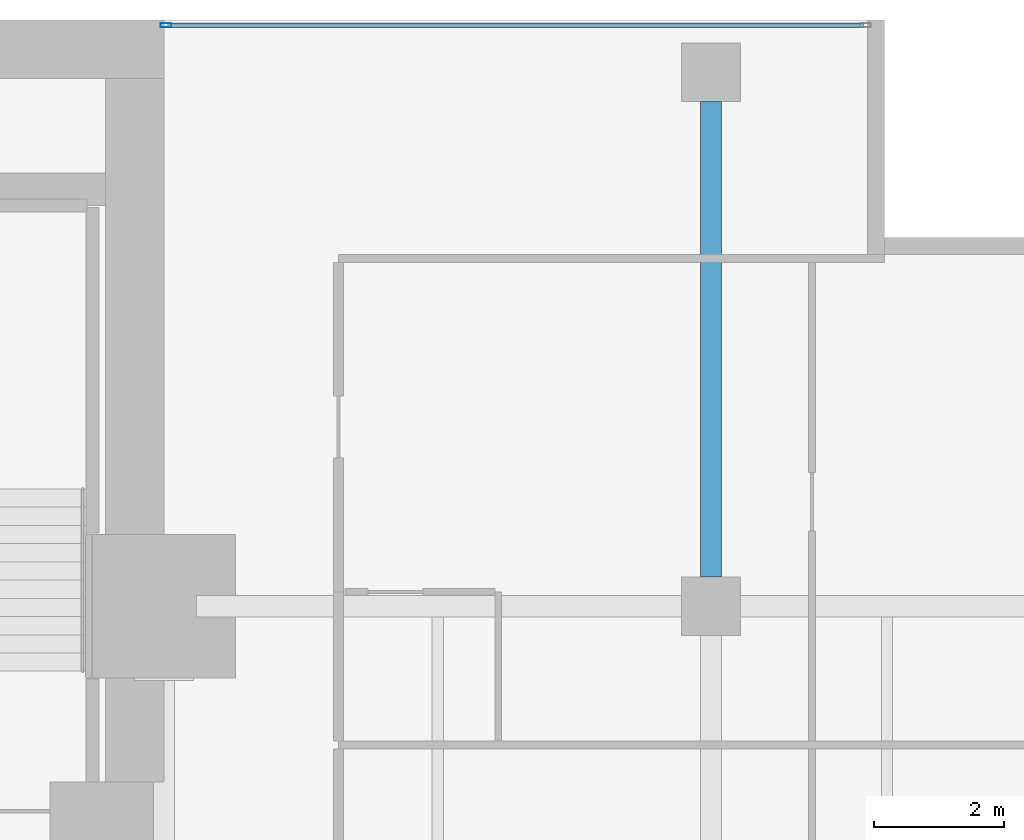
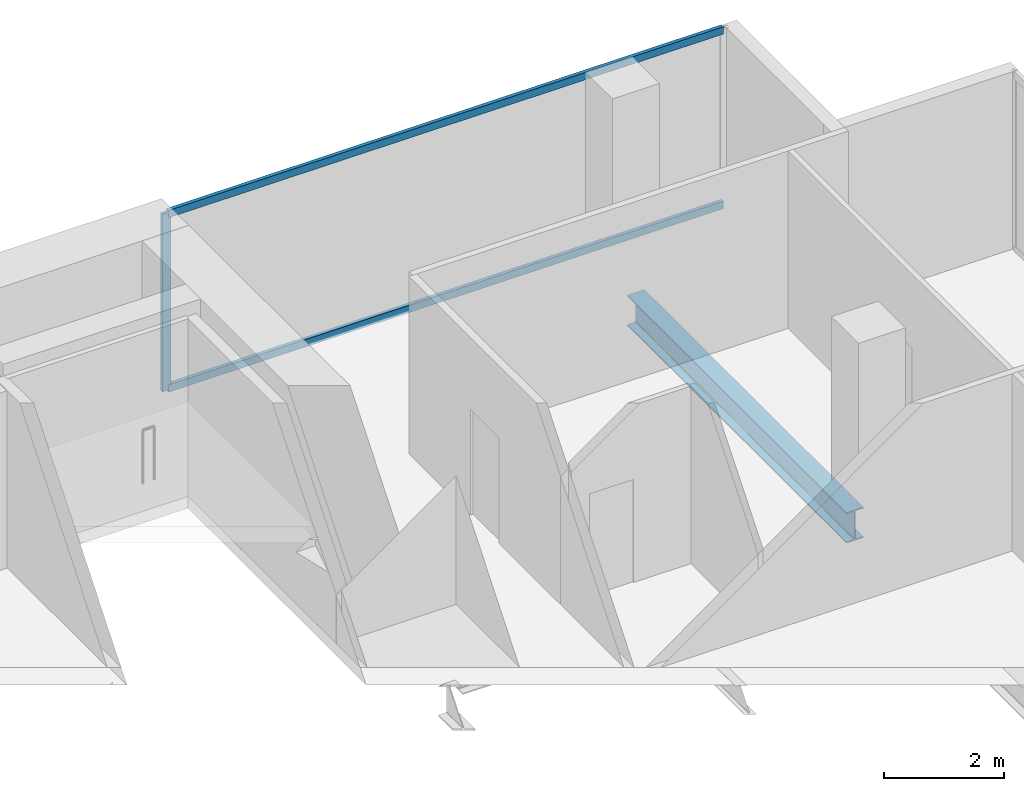
# One storey, part 30 of 39: 3 members, 1 beam, 1 element without a shape of its own.
"""IFC4 building model written with IfcOpenShell, lengths in metres."""

from ifc_helpers import new_model, si_unit, direction, frame, origin, origin_2d, place, context, subcontext, project, spatial, hollow_rectangle, i_section, extrude, material, layer, layer_set, material_profile, profile_set, type_object, element, aggregate, save


model = new_model("IFC4")

# Units and contexts
model_context = context("Model", 3, precision=1e-05, world=origin(), true_north=direction((0.0, 1.0)))
body_context = subcontext(model_context, "Body", "Model", "MODEL_VIEW")
ifc_project = project(units=[si_unit("LENGTHUNIT", "METRE"), si_unit("AREAUNIT", "SQUARE_METRE"), si_unit("VOLUMEUNIT", "CUBIC_METRE"), si_unit("PLANEANGLEUNIT", "RADIAN"), si_unit("MASSUNIT", "GRAM", prefix="KILO")], contexts=[model_context])

# Site, building, storey
site_placement = place(None, origin())
site = spatial("IfcSite", under=ifc_project, at=site_placement, CompositionType="ELEMENT")
building_placement = place(site_placement, origin())
building = spatial("IfcBuilding", under=site, at=building_placement, Name="Maruvema Waterfront Hotel and Observation Tower", CompositionType="ELEMENT")
storey_placement = place(building_placement, frame((0.0, 0.0, 46.199951171875)))
storey = spatial("IfcBuildingStorey", under=building, at=storey_placement, Name="L10", CompositionType="ELEMENT", Elevation=46.199951171875)

# Curtain wall, members
ifc_material_1 = material(Name="Anodised bronze aluminium and solar-control low-E IGU", Category="aluminium")
ifc_layer = layer(ifc_material_1, 0.159912109375, Name="Zone 1 Bronze Inner Thermal Curtain Wall System CW-02")
ifc_layer_set = layer_set([ifc_layer], Name="Anodised bronze aluminium and solar-control low-E IGU")
curtain_wall_type = type_object("IfcCurtainWallType", Name="Zone 1 Bronze Inner Thermal Curtain Wall System CW-02", PredefinedType="USERDEFINED", material=ifc_layer_set)
curtain_wall_placement = place(storey_placement, origin())
curtain_wall = element("IfcCurtainWall", 1, at=curtain_wall_placement, inside=storey, type_object=curtain_wall_type, Name="L10 Curtain Wall CW-L10-NE", ObjectType="UNITISED CURTAIN WALL", PredefinedType="USERDEFINED")
ifc_material_2 = material(Name="Anodised architectural bronze aluminium", Category="aluminium")
ifc_material_profile_1 = material_profile(ifc_material_2, hollow_rectangle(XDim=0.070068359375, YDim=0.14990234375, WallThickness=0.00390625, at=origin_2d()), Name="ALU-T70x150")
ifc_profile_set_1 = profile_set([ifc_material_profile_1], Name="Anodised architectural bronze aluminium")
member_type_1 = type_object("IfcMemberType", Name="Curtain Wall Horizontal Transom ALU-T70x150", PredefinedType="USERDEFINED", material=ifc_profile_set_1)
member_1_placement = place(storey_placement, frame((61.139892578125, 53.919921875, 0.030029296875), z_axis=(-1.0, 0.0, 0.0), x_axis=(0.0, -1.0, 0.0)))
member_1 = element("IfcMember", 2, at=member_1_placement, type_object=member_type_1, Name="CW-02 transom 1.1", ObjectType="TRANSOM", PredefinedType="USERDEFINED", context=body_context, shape_type="SweptSolid", body=[
    extrude(hollow_rectangle(XDim=0.070068359375, YDim=0.14990234375, WallThickness=0.00390625, at=origin_2d()), origin(), (0.0, 0.0, 1.0), 10.679931640625),
])
member_2_placement = place(storey_placement, frame((61.139892578125, 53.919921875, 3.580078125), z_axis=(-1.0, 0.0, 0.0), x_axis=(0.0, -1.0, 0.0)))
member_2 = element("IfcMember", 3, at=member_2_placement, type_object=member_type_1, Name="CW-02 transom 1.2", ObjectType="TRANSOM", PredefinedType="USERDEFINED", context=body_context, shape_type="SweptSolid", body=[
    extrude(hollow_rectangle(XDim=0.070068359375, YDim=0.14990234375, WallThickness=0.00390625, at=origin_2d()), origin(), (0.0, 0.0, 1.0), 10.679931640625),
])
ifc_material_3 = material(Name="Anodised architectural bronze aluminium", Category="aluminium")
ifc_material_profile_2 = material_profile(ifc_material_3, hollow_rectangle(XDim=0.06494140625, YDim=0.1650390625, WallThickness=0.00390625, at=origin_2d()), Name="ALU-M65x165")
ifc_profile_set_2 = profile_set([ifc_material_profile_2], Name="Anodised architectural bronze aluminium")
member_type_2 = type_object("IfcMemberType", Name="Curtain Wall Primary Mullion ALU-M65x165", PredefinedType="MULLION", material=ifc_profile_set_2)
member_3_placement = place(storey_placement, frame((50.429931640625, 53.919921875, 0.0), z_axis=(0.0, 0.0, 1.0), x_axis=(0.0, -1.0, 0.0)))
member_3 = element("IfcMember", 4, at=member_3_placement, type_object=member_type_2, Name="CW-02 mullion 2", PredefinedType="MULLION", context=body_context, shape_type="SweptSolid", body=[
    extrude(hollow_rectangle(XDim=0.06494140625, YDim=0.1650390625, WallThickness=0.00390625, at=origin_2d()), origin(), (0.0, 0.0, 1.0), 3.610107421875),
])
aggregate(curtain_wall, [member_3, member_1, member_2])

# Beam
ifc_material_4 = material(Name="Steel ASTM A572 Grade 50", Category="steel")
ifc_material_profile_3 = material_profile(ifc_material_4, i_section(OverallWidth=0.326904296875, OverallDepth=0.6220703125, WebThickness=0.015380859375, FlangeThickness=0.0244140625, FilletRadius=0.01806640625, at=origin_2d()), Name="W610x195.0")
ifc_profile_set_3 = profile_set([ifc_material_profile_3], Name="Steel ASTM A572 Grade 50")
beam_type = type_object("IfcBeamType", Name="Primary Floor Girder W610x195.0", PredefinedType="BEAM", material=ifc_profile_set_3)
beam_placement = place(storey_placement, frame((58.800048828125, 45.449951171875, -0.551025390625), z_axis=(0.0, 1.0, 0.0), x_axis=(-1.0, 0.0, 0.0)))
element("IfcBeam", 5, at=beam_placement, inside=storey, type_object=beam_type, Name="L10 Floor Girder NS-32", PredefinedType="BEAM", context=body_context, shape_type="SweptSolid", body=[
    extrude(i_section(OverallWidth=0.326904296875, OverallDepth=0.6220703125, WebThickness=0.015380859375, FlangeThickness=0.0244140625, FilletRadius=0.01806640625, at=origin_2d()), origin(), (0.0, 0.0, 1.0), 7.300048828125),
])

save(model, "model.ifc")
